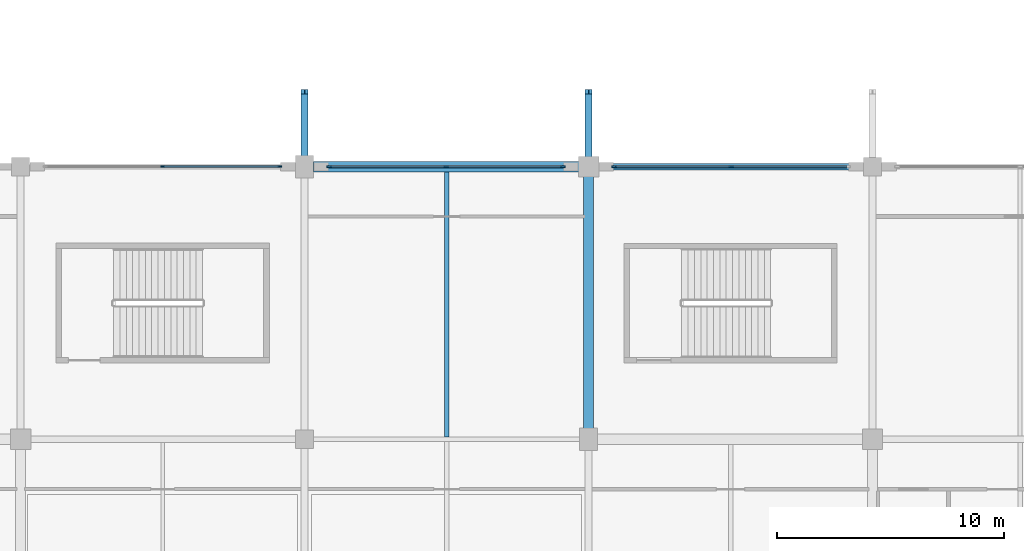
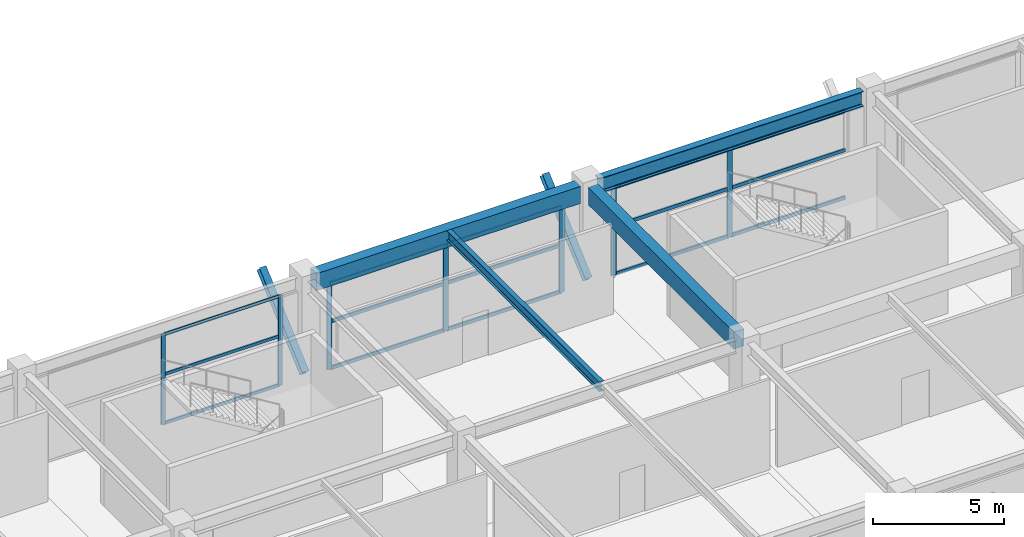
# One storey, part 19 of 116: 24 members, 4 beams, 3 elements without a shape of their own.
"""IFC4 building model written with IfcOpenShell, lengths in metres."""

from ifc_helpers import new_model, si_unit, direction, frame, origin, origin_2d, place, context, subcontext, project, spatial, rectangle, i_section, extrude, material, layer, layer_set, material_profile, profile_set, type_object, element, aggregate, save


model = new_model("IFC4")

# Units and contexts
model_context = context("Model", 3, precision=1e-05, world=origin(), true_north=direction((0.0, 1.0)))
body_context = subcontext(model_context, "Body", "Model", "MODEL_VIEW")
ifc_project = project(units=[si_unit("LENGTHUNIT", "METRE"), si_unit("AREAUNIT", "SQUARE_METRE"), si_unit("VOLUMEUNIT", "CUBIC_METRE"), si_unit("PLANEANGLEUNIT", "RADIAN"), si_unit("MASSUNIT", "GRAM", prefix="KILO")], contexts=[model_context])

# Site, building, storey
site_placement = place(None, origin())
site = spatial("IfcSite", under=ifc_project, at=site_placement, CompositionType="ELEMENT")
building_placement = place(site_placement, origin())
building = spatial("IfcBuilding", under=site, at=building_placement, Name="Kazenohara Klinker Stadium", CompositionType="ELEMENT")
storey_placement = place(building_placement, frame((0.0, 0.0, 10.199951171875)))
storey = spatial("IfcBuildingStorey", under=building, at=storey_placement, Name="L02", CompositionType="ELEMENT", Elevation=10.199951171875)

# Beams
ifc_material_1 = material(Name="Steel S355", Category="steel")
ifc_material_profile_1 = material_profile(ifc_material_1, i_section(OverallWidth=0.199951171875, OverallDepth=0.449951171875, WebThickness=0.009033203125, FlangeThickness=0.013916015625, FilletRadius=0.012939453125, at=origin_2d()), Name="H-450x200x9x14")
ifc_profile_set_1 = profile_set([ifc_material_profile_1], Name="Steel S355")
beam_type_1 = type_object("IfcBeamType", Name="BM-JST02", PredefinedType="JOIST", material=ifc_profile_set_1)
beam_1_placement = place(storey_placement, frame((80.25, 24.10009765625, 4.594970703125), z_axis=(0.0, 1.0, 0.0), x_axis=(-1.0, 0.0, 0.0)))
element("IfcBeam", 1, at=beam_1_placement, inside=storey, type_object=beam_type_1, Name="Secondary floor joist SJ02 L02 7/C", PredefinedType="JOIST", context=body_context, shape_type="SweptSolid", body=[
    extrude(i_section(OverallWidth=0.199951171875, OverallDepth=0.449951171875, WebThickness=0.009033203125, FlangeThickness=0.013916015625, FilletRadius=0.012939453125, at=origin_2d()), origin(), (0.0, 0.0, 1.0), 11.6748046875),
])
ifc_material_2 = material(Name="Concrete C40/50", Category="concrete")
ifc_material_profile_2 = material_profile(ifc_material_2, rectangle(XDim=0.449951171875, YDim=0.800048828125, at=origin_2d()), Name="RC-BM-450x800")
ifc_profile_set_2 = profile_set([ifc_material_profile_2], Name="Concrete C40/50")
beam_type_2 = type_object("IfcBeamType", Name="BM-RC03", PredefinedType="BEAM", material=ifc_profile_set_2)
beam_2_placement = place(storey_placement, frame((74.39990234375, 36.0, 4.420166015625), z_axis=(1.0, 0.0, 0.0), x_axis=(0.0, 1.0, 0.0)))
element("IfcBeam", 2, at=beam_2_placement, inside=storey, type_object=beam_type_2, Name="Primary girder BG03 L02 7-8/D", PredefinedType="BEAM", context=body_context, shape_type="SweptSolid", body=[
    extrude(rectangle(XDim=0.449951171875, YDim=0.800048828125, at=origin_2d()), origin(), (0.0, 0.0, 1.0), 11.68017578125),
])
beam_3_placement = place(storey_placement, frame((86.5, 24.419921875, 4.420166015625), z_axis=(0.0, 1.0, 0.0), x_axis=(-1.0, 0.0, 0.0)))
element("IfcBeam", 3, at=beam_3_placement, inside=storey, type_object=beam_type_2, Name="Primary girder BG03 L02 8/C-D", PredefinedType="BEAM", context=body_context, shape_type="SweptSolid", body=[
    extrude(rectangle(XDim=0.449951171875, YDim=0.800048828125, at=origin_2d()), origin(), (0.0, 0.0, 1.0), 11.16015625),
])
ifc_material_profile_3 = material_profile(ifc_material_1, i_section(OverallWidth=0.300048828125, OverallDepth=0.699951171875, WebThickness=0.012939453125, FlangeThickness=0.02392578125, FilletRadius=0.02197265625, at=origin_2d()), Name="H-700x300x13x24")
ifc_profile_set_3 = profile_set([ifc_material_profile_3], Name="Steel S355")
beam_type_3 = type_object("IfcBeamType", Name="BM-ST03", PredefinedType="BEAM", material=ifc_profile_set_3)
beam_4_placement = place(storey_placement, frame((86.919921875, 36.0, 4.469970703125), z_axis=(1.0, 0.0, 0.0), x_axis=(0.0, 1.0, 0.0)))
element("IfcBeam", 4, at=beam_4_placement, inside=storey, type_object=beam_type_3, Name="Primary girder SB03 L02 8-9/D", PredefinedType="BEAM", context=body_context, shape_type="SweptSolid", body=[
    extrude(i_section(OverallWidth=0.300048828125, OverallDepth=0.699951171875, WebThickness=0.012939453125, FlangeThickness=0.02392578125, FilletRadius=0.02197265625, at=origin_2d()), origin(), (0.0, 0.0, 1.0), 11.68017578125),
])

# Curtain wall, members
ifc_material_3 = material(Name="Anodised aluminium and triple glazing", Category="aluminium")
ifc_layer_1 = layer(ifc_material_3, 0.179931640625)
ifc_layer_set_1 = layer_set([ifc_layer_1], Name="Anodised aluminium and triple glazing")
curtain_wall_type_1 = type_object("IfcCurtainWallType", Name="CW-SYS-02", PredefinedType="USERDEFINED", material=ifc_layer_set_1)
curtain_wall_1_placement = place(storey_placement, origin())
curtain_wall_1 = element("IfcCurtainWall", 5, at=curtain_wall_1_placement, inside=storey, type_object=curtain_wall_type_1, Name="Unitised facade curtain wall CW02 L02 X5-3", ObjectType="UNITISED CURTAIN WALL", PredefinedType="USERDEFINED")
ifc_material_4 = material(Name="Anodised aluminium 6063-T6", Category="aluminium")
ifc_material_profile_4 = material_profile(ifc_material_4, rectangle(XDim=0.06494140625, YDim=0.179931640625, at=origin_2d()), Name="ALU-MUL-65x180")
ifc_profile_set_4 = profile_set([ifc_material_profile_4], Name="Anodised aluminium 6063-T6")
member_type_1 = type_object("IfcMemberType", Name="CW-MUL-180", PredefinedType="MULLION", material=ifc_profile_set_4)
member_1_placement = place(storey_placement, frame((67.75, 36.0, 0.0), z_axis=(0.0, 0.0, 1.0), x_axis=(0.0, 1.0, 0.0)))
member_1 = element("IfcMember", 6, at=member_1_placement, type_object=member_type_1, Name="CW02 mullion 2", PredefinedType="MULLION", context=body_context, shape_type="SweptSolid", body=[
    extrude(rectangle(XDim=0.06494140625, YDim=0.179931640625, at=origin_2d()), origin(), (0.0, 0.0, 1.0), 4.219970703125),
])
member_2_placement = place(storey_placement, frame((72.91357421875, 36.0, 0.0), z_axis=(0.0, 0.0, 1.0), x_axis=(0.0, 1.0, 0.0)))
member_2 = element("IfcMember", 7, at=member_2_placement, type_object=member_type_1, Name="CW02 mullion 3", PredefinedType="MULLION", context=body_context, shape_type="SweptSolid", body=[
    extrude(rectangle(XDim=0.06494140625, YDim=0.179931640625, at=origin_2d()), origin(), (0.0, 0.0, 1.0), 4.219970703125),
])

ifc_layer_2 = layer(ifc_material_3, 0.199951171875)
ifc_layer_set_2 = layer_set([ifc_layer_2], Name="Anodised aluminium and triple glazing")
curtain_wall_type_2 = type_object("IfcCurtainWallType", Name="CW-SYS-03", PredefinedType="USERDEFINED", material=ifc_layer_set_2)
curtain_wall_2_placement = place(storey_placement, origin())
curtain_wall_2 = element("IfcCurtainWall", 8, at=curtain_wall_2_placement, inside=storey, type_object=curtain_wall_type_2, Name="Unitised facade curtain wall CW03 L02 X6-3", ObjectType="UNITISED CURTAIN WALL", PredefinedType="USERDEFINED")
ifc_material_profile_5 = material_profile(ifc_material_4, rectangle(XDim=0.074951171875, YDim=0.219970703125, at=origin_2d()), Name="ALU-MUL-75x220")
ifc_profile_set_5 = profile_set([ifc_material_profile_5], Name="Anodised aluminium 6063-T6")
member_type_2 = type_object("IfcMemberType", Name="CW-MUL-220", PredefinedType="MULLION", material=ifc_profile_set_5)
member_3_placement = place(storey_placement, frame((75.091552734375, 36.0, 0.0), z_axis=(0.0, 0.0, 1.0), x_axis=(0.0, 1.0, 0.0)))
member_3 = element("IfcMember", 9, at=member_3_placement, type_object=member_type_2, Name="CW03 mullion 1", PredefinedType="MULLION", context=body_context, shape_type="SweptSolid", body=[
    extrude(rectangle(XDim=0.074951171875, YDim=0.219970703125, at=origin_2d()), origin(), (0.0, 0.0, 1.0), 4.02001953125),
])
member_4_placement = place(storey_placement, frame((80.22509765625, 36.0, 0.0), z_axis=(0.0, 0.0, 1.0), x_axis=(0.0, 1.0, 0.0)))
member_4 = element("IfcMember", 10, at=member_4_placement, type_object=member_type_2, Name="CW03 mullion 2", PredefinedType="MULLION", context=body_context, shape_type="SweptSolid", body=[
    extrude(rectangle(XDim=0.074951171875, YDim=0.219970703125, at=origin_2d()), origin(), (0.0, 0.0, 1.0), 4.02001953125),
])
member_5_placement = place(storey_placement, frame((85.3583984375, 36.0, 0.0), z_axis=(0.0, 0.0, 1.0), x_axis=(0.0, 1.0, 0.0)))
member_5 = element("IfcMember", 11, at=member_5_placement, type_object=member_type_2, Name="CW03 mullion 3", PredefinedType="MULLION", context=body_context, shape_type="SweptSolid", body=[
    extrude(rectangle(XDim=0.074951171875, YDim=0.219970703125, at=origin_2d()), origin(), (0.0, 0.0, 1.0), 4.02001953125),
])

ifc_layer_3 = layer(ifc_material_3, 0.18994140625)
ifc_layer_set_3 = layer_set([ifc_layer_3], Name="Anodised aluminium and triple glazing")
curtain_wall_type_3 = type_object("IfcCurtainWallType", Name="CW-SYS-05", PredefinedType="USERDEFINED", material=ifc_layer_set_3)
curtain_wall_3_placement = place(storey_placement, origin())
curtain_wall_3 = element("IfcCurtainWall", 12, at=curtain_wall_3_placement, inside=storey, type_object=curtain_wall_type_3, Name="Unitised facade curtain wall CW05 L02 X7-3", ObjectType="UNITISED CURTAIN WALL", PredefinedType="USERDEFINED")
member_6_placement = place(storey_placement, frame((87.6416015625, 36.0, 0.0), z_axis=(0.0, 0.0, 1.0), x_axis=(0.0, 1.0, 0.0)))
member_6 = element("IfcMember", 13, at=member_6_placement, type_object=member_type_2, Name="CW05 mullion 1", PredefinedType="MULLION", context=body_context, shape_type="SweptSolid", body=[
    extrude(rectangle(XDim=0.074951171875, YDim=0.219970703125, at=origin_2d()), origin(), (0.0, 0.0, 1.0), 4.1201171875),
])
member_7_placement = place(storey_placement, frame((92.77490234375, 36.0, 0.0), z_axis=(0.0, 0.0, 1.0), x_axis=(0.0, 1.0, 0.0)))
member_7 = element("IfcMember", 14, at=member_7_placement, type_object=member_type_2, Name="CW05 mullion 2", PredefinedType="MULLION", context=body_context, shape_type="SweptSolid", body=[
    extrude(rectangle(XDim=0.074951171875, YDim=0.219970703125, at=origin_2d()), origin(), (0.0, 0.0, 1.0), 4.1201171875),
])

# Member
ifc_material_profile_6 = material_profile(ifc_material_4, rectangle(XDim=0.06494140625, YDim=0.139892578125, at=origin_2d()), Name="ALU-TRN-65x140")
ifc_profile_set_6 = profile_set([ifc_material_profile_6], Name="Anodised aluminium 6063-T6")
member_type_3 = type_object("IfcMemberType", Name="CW-TRN-140", PredefinedType="USERDEFINED", material=ifc_profile_set_6)
member_8_placement = place(storey_placement, frame((67.782470703125, 36.0, 0.032470703125), z_axis=(1.0, 0.0, 0.0), x_axis=(0.0, 1.0, 0.0)))
member_8 = element("IfcMember", 15, at=member_8_placement, type_object=member_type_3, Name="CW02 transom 2.1", ObjectType="TRANSOM", PredefinedType="USERDEFINED", context=body_context, shape_type="SweptSolid", body=[
    extrude(rectangle(XDim=0.06494140625, YDim=0.139892578125, at=origin_2d()), origin(), (0.0, 0.0, 1.0), 5.0986328125),
])

member_9_placement = place(storey_placement, frame((67.782470703125, 36.0, 2.321044921875), z_axis=(1.0, 0.0, 0.0), x_axis=(0.0, 1.0, 0.0)))
member_9 = element("IfcMember", 16, at=member_9_placement, type_object=member_type_3, Name="CW02 transom 2.2", ObjectType="TRANSOM", PredefinedType="USERDEFINED", context=body_context, shape_type="SweptSolid", body=[
    extrude(rectangle(XDim=0.06494140625, YDim=0.139892578125, at=origin_2d()), origin(), (0.0, 0.0, 1.0), 5.0986328125),
])

member_10_placement = place(storey_placement, frame((67.782470703125, 36.0, 4.1875), z_axis=(1.0, 0.0, 0.0), x_axis=(0.0, 1.0, 0.0)))
member_10 = element("IfcMember", 17, at=member_10_placement, type_object=member_type_3, Name="CW02 transom 2.3", ObjectType="TRANSOM", PredefinedType="USERDEFINED", context=body_context, shape_type="SweptSolid", body=[
    extrude(rectangle(XDim=0.06494140625, YDim=0.139892578125, at=origin_2d()), origin(), (0.0, 0.0, 1.0), 5.0986328125),
])

aggregate(curtain_wall_1, [member_1, member_2, member_8, member_9, member_10])

ifc_material_profile_7 = material_profile(ifc_material_4, rectangle(XDim=0.074951171875, YDim=0.159912109375, at=origin_2d()), Name="ALU-TRN-75x160")
ifc_profile_set_7 = profile_set([ifc_material_profile_7], Name="Anodised aluminium 6063-T6")
member_type_4 = type_object("IfcMemberType", Name="CW-TRN-160", PredefinedType="USERDEFINED", material=ifc_profile_set_7)
member_11_placement = place(storey_placement, frame((75.12890625, 36.0, 0.03759765625), z_axis=(1.0, 0.0, 0.0), x_axis=(0.0, 1.0, 0.0)))
member_11 = element("IfcMember", 18, at=member_11_placement, type_object=member_type_4, Name="CW03 transom 1.1", ObjectType="TRANSOM", PredefinedType="USERDEFINED", context=body_context, shape_type="SweptSolid", body=[
    extrude(rectangle(XDim=0.074951171875, YDim=0.159912109375, at=origin_2d()), origin(), (0.0, 0.0, 1.0), 5.05859375),
])

member_12_placement = place(storey_placement, frame((75.12890625, 36.0, 2.2109375), z_axis=(1.0, 0.0, 0.0), x_axis=(0.0, 1.0, 0.0)))
member_12 = element("IfcMember", 19, at=member_12_placement, type_object=member_type_4, Name="CW03 transom 1.2", ObjectType="TRANSOM", PredefinedType="USERDEFINED", context=body_context, shape_type="SweptSolid", body=[
    extrude(rectangle(XDim=0.074951171875, YDim=0.159912109375, at=origin_2d()), origin(), (0.0, 0.0, 1.0), 5.05859375),
])

member_13_placement = place(storey_placement, frame((75.12890625, 36.0, 3.982666015625), z_axis=(1.0, 0.0, 0.0), x_axis=(0.0, 1.0, 0.0)))
member_13 = element("IfcMember", 20, at=member_13_placement, type_object=member_type_4, Name="CW03 transom 1.3", ObjectType="TRANSOM", PredefinedType="USERDEFINED", context=body_context, shape_type="SweptSolid", body=[
    extrude(rectangle(XDim=0.074951171875, YDim=0.159912109375, at=origin_2d()), origin(), (0.0, 0.0, 1.0), 5.05859375),
])

member_14_placement = place(storey_placement, frame((80.262451171875, 36.0, 0.03759765625), z_axis=(1.0, 0.0, 0.0), x_axis=(0.0, 1.0, 0.0)))
member_14 = element("IfcMember", 21, at=member_14_placement, type_object=member_type_4, Name="CW03 transom 2.1", ObjectType="TRANSOM", PredefinedType="USERDEFINED", context=body_context, shape_type="SweptSolid", body=[
    extrude(rectangle(XDim=0.074951171875, YDim=0.159912109375, at=origin_2d()), origin(), (0.0, 0.0, 1.0), 5.05859375),
])

member_15_placement = place(storey_placement, frame((80.262451171875, 36.0, 2.2109375), z_axis=(1.0, 0.0, 0.0), x_axis=(0.0, 1.0, 0.0)))
member_15 = element("IfcMember", 22, at=member_15_placement, type_object=member_type_4, Name="CW03 transom 2.2", ObjectType="TRANSOM", PredefinedType="USERDEFINED", context=body_context, shape_type="SweptSolid", body=[
    extrude(rectangle(XDim=0.074951171875, YDim=0.159912109375, at=origin_2d()), origin(), (0.0, 0.0, 1.0), 5.05859375),
])

member_16_placement = place(storey_placement, frame((80.262451171875, 36.0, 3.982666015625), z_axis=(1.0, 0.0, 0.0), x_axis=(0.0, 1.0, 0.0)))
member_16 = element("IfcMember", 23, at=member_16_placement, type_object=member_type_4, Name="CW03 transom 2.3", ObjectType="TRANSOM", PredefinedType="USERDEFINED", context=body_context, shape_type="SweptSolid", body=[
    extrude(rectangle(XDim=0.074951171875, YDim=0.159912109375, at=origin_2d()), origin(), (0.0, 0.0, 1.0), 5.05859375),
])

aggregate(curtain_wall_2, [member_3, member_4, member_5, member_11, member_12, member_13, member_14, member_15, member_16])

member_17_placement = place(storey_placement, frame((87.678955078125, 36.0, 0.03759765625), z_axis=(1.0, 0.0, 0.0), x_axis=(0.0, 1.0, 0.0)))
member_17 = element("IfcMember", 24, at=member_17_placement, type_object=member_type_4, Name="CW05 transom 1.1", ObjectType="TRANSOM", PredefinedType="USERDEFINED", context=body_context, shape_type="SweptSolid", body=[
    extrude(rectangle(XDim=0.074951171875, YDim=0.159912109375, at=origin_2d()), origin(), (0.0, 0.0, 1.0), 5.05859375),
])

member_18_placement = place(storey_placement, frame((87.678955078125, 36.0, 2.26611328125), z_axis=(1.0, 0.0, 0.0), x_axis=(0.0, 1.0, 0.0)))
member_18 = element("IfcMember", 25, at=member_18_placement, type_object=member_type_4, Name="CW05 transom 1.2", ObjectType="TRANSOM", PredefinedType="USERDEFINED", context=body_context, shape_type="SweptSolid", body=[
    extrude(rectangle(XDim=0.074951171875, YDim=0.159912109375, at=origin_2d()), origin(), (0.0, 0.0, 1.0), 5.05859375),
])

member_19_placement = place(storey_placement, frame((87.678955078125, 36.0, 4.08251953125), z_axis=(1.0, 0.0, 0.0), x_axis=(0.0, 1.0, 0.0)))
member_19 = element("IfcMember", 26, at=member_19_placement, type_object=member_type_4, Name="CW05 transom 1.3", ObjectType="TRANSOM", PredefinedType="USERDEFINED", context=body_context, shape_type="SweptSolid", body=[
    extrude(rectangle(XDim=0.074951171875, YDim=0.159912109375, at=origin_2d()), origin(), (0.0, 0.0, 1.0), 5.05859375),
])

member_20_placement = place(storey_placement, frame((92.8125, 36.0, 0.03759765625), z_axis=(1.0, 0.0, 0.0), x_axis=(0.0, 1.0, 0.0)))
member_20 = element("IfcMember", 27, at=member_20_placement, type_object=member_type_4, Name="CW05 transom 2.1", ObjectType="TRANSOM", PredefinedType="USERDEFINED", context=body_context, shape_type="SweptSolid", body=[
    extrude(rectangle(XDim=0.074951171875, YDim=0.159912109375, at=origin_2d()), origin(), (0.0, 0.0, 1.0), 5.05859375),
])

member_21_placement = place(storey_placement, frame((92.8125, 36.0, 2.26611328125), z_axis=(1.0, 0.0, 0.0), x_axis=(0.0, 1.0, 0.0)))
member_21 = element("IfcMember", 28, at=member_21_placement, type_object=member_type_4, Name="CW05 transom 2.2", ObjectType="TRANSOM", PredefinedType="USERDEFINED", context=body_context, shape_type="SweptSolid", body=[
    extrude(rectangle(XDim=0.074951171875, YDim=0.159912109375, at=origin_2d()), origin(), (0.0, 0.0, 1.0), 5.05859375),
])

member_22_placement = place(storey_placement, frame((92.8125, 36.0, 4.08251953125), z_axis=(1.0, 0.0, 0.0), x_axis=(0.0, 1.0, 0.0)))
member_22 = element("IfcMember", 29, at=member_22_placement, type_object=member_type_4, Name="CW05 transom 2.3", ObjectType="TRANSOM", PredefinedType="USERDEFINED", context=body_context, shape_type="SweptSolid", body=[
    extrude(rectangle(XDim=0.074951171875, YDim=0.159912109375, at=origin_2d()), origin(), (0.0, 0.0, 1.0), 5.05859375),
])

aggregate(curtain_wall_3, [member_6, member_7, member_17, member_18, member_19, member_20, member_21, member_22])

# Members
ifc_material_profile_8 = material_profile(ifc_material_1, i_section(OverallWidth=0.300048828125, OverallDepth=0.300048828125, WebThickness=0.010009765625, FlangeThickness=0.014892578125, FilletRadius=0.012939453125, at=origin_2d()), Name="H-300x300x10x15")
ifc_profile_set_8 = profile_set([ifc_material_profile_8], Name="Steel S355")
member_type_5 = type_object("IfcMemberType", Name="MEM-BRC01", PredefinedType="BRACE", material=ifc_profile_set_8)
for number, where, z_axis, x_axis, name in (
    (30, (74.0, 36.0, 0.199951171875), (0.0, 0.750987889423, 0.660315977347), (-1.0, 0.0, 0.0), "Upper bowl raking bracket strut BR01 South 7"),
    (31, (86.5, 36.0, 0.199951171875), (0.0, 0.750987889423, 0.660315977347), (-1.0, 0.0, 0.0), "Upper bowl raking bracket strut BR01 South 8"),
):
    element("IfcMember", number, at=place(storey_placement, frame(where, z_axis=z_axis, x_axis=x_axis)), inside=storey, type_object=member_type_5, Name=name, PredefinedType="BRACE", context=body_context, shape_type="SweptSolid", body=[
        extrude(i_section(OverallWidth=0.300048828125, OverallDepth=0.300048828125, WebThickness=0.010009765625, FlangeThickness=0.014892578125, FilletRadius=0.012939453125, at=origin_2d()), origin(), (0.0, 0.0, 1.0), 4.394287109375),
    ])

save(model, "model.ifc")
